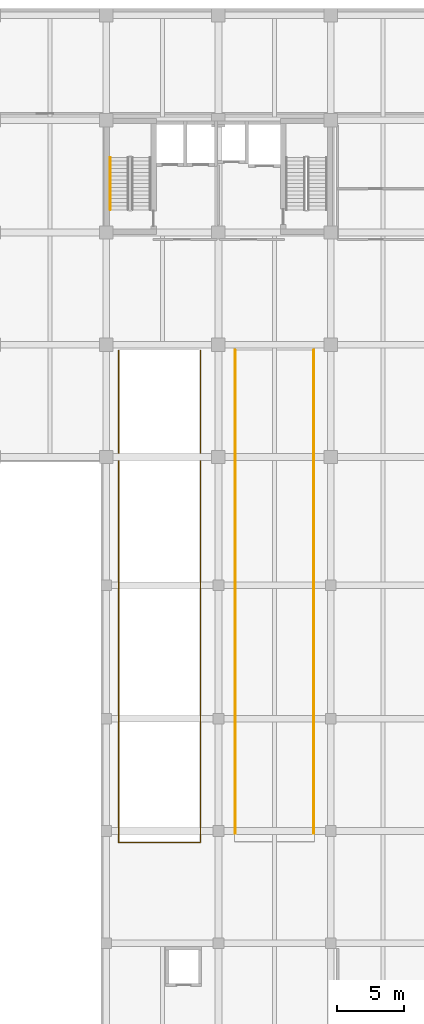
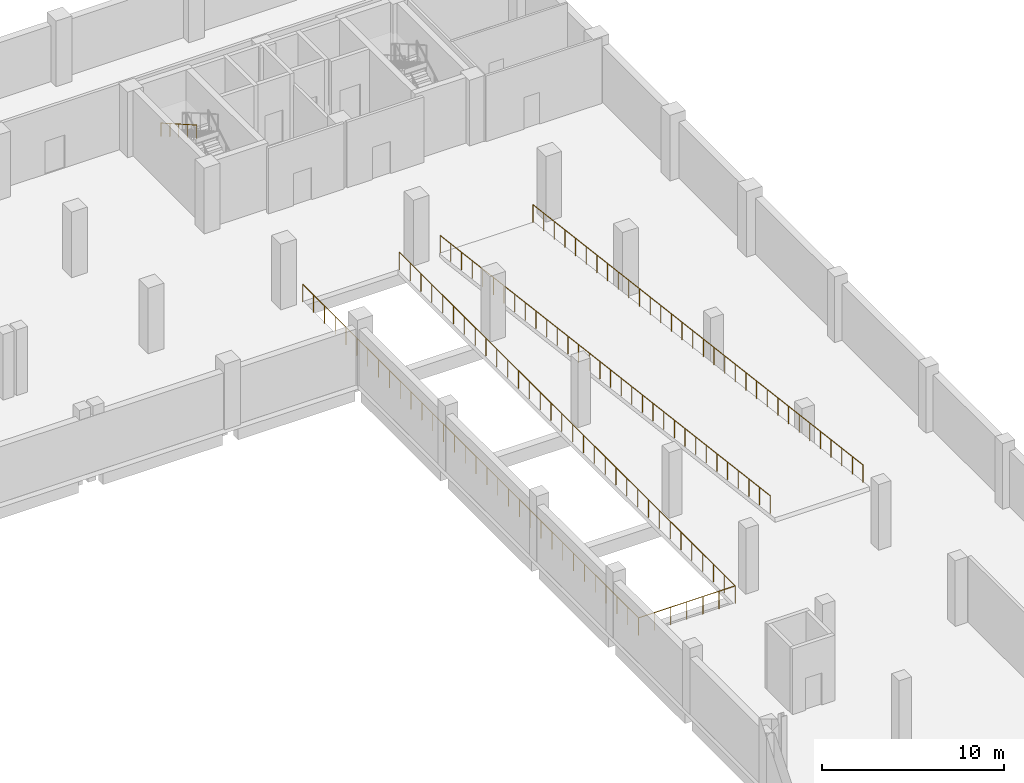
# One storey, part 16 of 17: 4 railings.
"""IFC4 building model written with IfcOpenShell, lengths in metres."""

import ifcopenshell
import ifcopenshell.guid

model = None  # the IFC model being written
_history = None  # IfcOwnerHistory: only IFC2X3 demands one
_inside = {}  # id of a spatial element -> (the spatial element, [elements in it])
_under = {}  # id of a project, library or spatial element -> (it, [spatial elements below it])
_declared = {}  # id of a project -> (the project, [libraries it declares])
_typed = {}  # id of a type object -> (the type object, [elements of that type])
_made_of = {}  # id of a material, layer set ... -> (it, [elements and type objects made of it])


def new_model(schema):
    """Start an empty IFC model of exactly this schema.

    Asked for "IFC4X3", IfcOpenShell would pick the latest addendum, in which some entities
    have other attributes; the version numbers below select the first issue.
    IFC2X3 requires an IfcOwnerHistory on every rooted entity: one is made here for all.
    """
    global model, _history
    if schema == "IFC4X3":
        model = ifcopenshell.file(schema_version=(4, 3, 0, 0))
    else:
        model = ifcopenshell.file(schema=schema)
    _inside.clear()
    _under.clear()
    _declared.clear()
    _typed.clear()
    _made_of.clear()
    _history = None
    if model.schema == "IFC2X3":
        org = make("IfcOrganization", Name="unknown")
        user = make(
            "IfcPersonAndOrganization",
            ThePerson=make("IfcPerson", FamilyName="unknown"),
            TheOrganization=org,
        )
        app = make(
            "IfcApplication",
            ApplicationDeveloper=org,
            Version="unknown",
            ApplicationFullName="unknown",
            ApplicationIdentifier="unknown",
        )
        _history = make(
            "IfcOwnerHistory",
            OwningUser=user,
            OwningApplication=app,
            ChangeAction="ADDED",
            CreationDate=0,
        )
    return model


def make(cls, **values):
    """One entity of the class cls with the attributes given. An attribute that is None is left unset."""
    return model.create_entity(
        cls, **{name: value for name, value in values.items() if value is not None}
    )


def rooted(cls, **values):
    """An entity with a GlobalId (a new one), such as an element, a storey or a relation."""
    return make(cls, GlobalId=ifcopenshell.guid.new(), OwnerHistory=_history, **values)


def si_unit(unit_type, name, prefix=None):
    """IfcSIUnit, for example si_unit("LENGTHUNIT", "METRE", prefix="MILLI")."""
    return make("IfcSIUnit", UnitType=unit_type, Prefix=prefix, Name=name)


def assignment(units):
    """IfcUnitAssignment: the units of a project."""
    return None if units is None else make("IfcUnitAssignment", Units=units)


def point(xyz):
    """IfcCartesianPoint."""
    return None if xyz is None else make("IfcCartesianPoint", Coordinates=xyz)


def direction(xyz):
    """IfcDirection."""
    return None if xyz is None else make("IfcDirection", DirectionRatios=xyz)


def frame(location, z_axis=None, x_axis=None):
    """IfcAxis2Placement3D, a coordinate frame: its origin and axes. An axis left out is left unset."""
    return make(
        "IfcAxis2Placement3D",
        Location=point(location),
        Axis=direction(z_axis),
        RefDirection=direction(x_axis),
    )


def frame_2d(location, x_axis=None):
    """IfcAxis2Placement2D, a coordinate frame in the plane: its origin and x axis."""
    return make(
        "IfcAxis2Placement2D", Location=point(location), RefDirection=direction(x_axis)
    )


def origin():
    """The frame at (0, 0, 0) with its axes left unset."""
    return frame((0.0, 0.0, 0.0))


def origin_2d():
    """The frame at (0, 0) in the plane with its x axis left unset."""
    return frame_2d((0.0, 0.0))


def place(relative_to, where):
    """IfcLocalPlacement: puts the frame where relative to a parent placement (None: the world)."""
    return make(
        "IfcLocalPlacement", PlacementRelTo=relative_to, RelativePlacement=where
    )


def context(
    kind, dimensions, precision=None, world=None, true_north=None, identifier=None
):
    """IfcGeometricRepresentationContext, for example the 3D "Model" context."""
    return make(
        "IfcGeometricRepresentationContext",
        ContextIdentifier=identifier,
        ContextType=kind,
        CoordinateSpaceDimension=dimensions,
        Precision=precision,
        WorldCoordinateSystem=world,
        TrueNorth=true_north,
    )


def subcontext(parent, identifier, kind, view, scale=None):
    """IfcGeometricRepresentationSubContext, for example "Body" below "Model"."""
    return make(
        "IfcGeometricRepresentationSubContext",
        ContextIdentifier=identifier,
        ContextType=kind,
        ParentContext=parent,
        TargetScale=scale,
        TargetView=view,
    )


def project(units=None, contexts=None):
    """IfcProject with its units and contexts."""
    return rooted(
        "IfcProject",
        Name="project",
        RepresentationContexts=contexts,
        UnitsInContext=assignment(units),
    )


def spatial(cls, under=None, at=None, **own):
    """A site, building, storey or space (cls), placed at a placement, below another one or the project."""
    s = rooted(cls, ObjectPlacement=at, **own)
    if under is not None:
        _under.setdefault(under.id(), (under, []))[1].append(s)
    return s


def profile(cls, at=None, kind="AREA", **sizes):
    """A parametric profile (cls). Its sizes go by their IFC names, for example OverallWidth=200.0."""
    return make(cls, ProfileType=kind, Position=at, **sizes)


def circle(**sizes):
    """IfcCircleProfileDef."""
    return profile("IfcCircleProfileDef", **sizes)


def extrude(swept, where, along, depth):
    """IfcExtrudedAreaSolid: the profile swept, set in the frame where, extruded along a direction by depth."""
    return make(
        "IfcExtrudedAreaSolid",
        SweptArea=swept,
        Position=where,
        ExtrudedDirection=direction(along),
        Depth=depth,
    )


def shape(context_of_items, identifier, shape_type, items):
    """IfcShapeRepresentation: the items that make up one representation, for example the "Body"."""
    return make(
        "IfcShapeRepresentation",
        ContextOfItems=context_of_items,
        RepresentationIdentifier=identifier,
        RepresentationType=shape_type,
        Items=items,
    )


def material(Name=None, Category=None):
    """IfcMaterial."""
    return make("IfcMaterial", Name=Name, Category=Category)


def made_of(thing, what):
    """Note that an element or type object is made of a material, layer set ...; save() writes the relation."""
    if what is not None:
        _made_of.setdefault(what.id(), (what, []))[1].append(thing)
    return thing


def type_object(cls, material=None, **own):
    """A type object (cls), such as IfcWallType, which elements share."""
    return made_of(rooted(cls, **own), material)


def element(
    cls,
    number,
    at=None,
    inside=None,
    cuts=None,
    type_object=None,
    material=None,
    context=None,
    identifier="Body",
    shape_type=None,
    held_by="IfcProductDefinitionShape",
    body=None,
    shapes=None,
    **own,
):
    """One element of the class cls, such as IfcWall. Its Tag is "e" and its number.

    at: its placement. inside: the storey or other place that contains it. cuts: it is an
    opening in that element (IfcRelVoidsElement). A single representation is given by context,
    identifier, shape_type and body (its items); several are given by shapes. held_by: the class
    of the entity that holds the representations. save() writes the other relations.
    """
    e = rooted(cls, Tag="e%d" % number, ObjectPlacement=at, **own)
    if body is not None:
        shapes = [shape(context, identifier, shape_type, body)]
    if shapes is not None:
        e.Representation = make(held_by, Representations=shapes)
    if inside is not None:
        _inside.setdefault(inside.id(), (inside, []))[1].append(e)
    if cuts is not None:
        rooted(
            "IfcRelVoidsElement", RelatingBuildingElement=cuts, RelatedOpeningElement=e
        )
    if type_object is not None:
        _typed.setdefault(type_object.id(), (type_object, []))[1].append(e)
    return made_of(e, material)


def aggregate(whole, parts):
    """IfcRelAggregates: a whole, such as a stair, and the parts it consists of."""
    return rooted("IfcRelAggregates", RelatingObject=whole, RelatedObjects=parts)


def save(model, path):
    """Write the relations noted so far, then the file.

    IfcRelAggregates (storeys below a building ...), IfcRelContainedInSpatialStructure (elements
    in a storey), IfcRelDefinesByType, IfcRelAssociatesMaterial and IfcRelDeclares: one each for
    every whole, place, type object, material and project.
    """
    for whole, parts in _under.values():
        aggregate(whole, parts)
    for where, things in _inside.values():
        rooted(
            "IfcRelContainedInSpatialStructure",
            RelatedElements=things,
            RelatingStructure=where,
        )
    for kind, things in _typed.values():
        rooted("IfcRelDefinesByType", RelatedObjects=things, RelatingType=kind)
    for what, things in _made_of.values():
        rooted("IfcRelAssociatesMaterial", RelatedObjects=things, RelatingMaterial=what)
    for by, libraries in _declared.values():
        rooted("IfcRelDeclares", RelatingContext=by, RelatedDefinitions=libraries)
    model.write(path)


model = new_model("IFC4")

# Units and contexts
model_context = context("Model", 3, precision=1e-05, world=origin(), true_north=direction((0.0, 1.0)))
body_context = subcontext(model_context, "Body", "Model", "MODEL_VIEW")
ifc_project = project(units=[si_unit("LENGTHUNIT", "METRE"), si_unit("AREAUNIT", "SQUARE_METRE"), si_unit("VOLUMEUNIT", "CUBIC_METRE"), si_unit("PLANEANGLEUNIT", "RADIAN"), si_unit("MASSUNIT", "GRAM", prefix="KILO")], contexts=[model_context])

# Site, building, storey
site_placement = place(None, origin())
site = spatial("IfcSite", under=ifc_project, at=site_placement, CompositionType="ELEMENT")
building_placement = place(site_placement, origin())
building = spatial("IfcBuilding", under=site, at=building_placement, Name="Brinegate Botanical Conservatory", CompositionType="ELEMENT")
storey_placement = place(building_placement, frame((0.0, 0.0, -4.800048828125)))
storey = spatial("IfcBuildingStorey", under=building, at=storey_placement, Name="B1", CompositionType="ELEMENT", Elevation=-4.800048828125)

# Railings
ifc_material_1 = material(Name="Structural steel Q355B / S355 painted tubular guardrail", Category="steel")
railing_type_1 = type_object("IfcRailingType", Name="Rail_ST-GRD", PredefinedType="GUARDRAIL", material=ifc_material_1)
railing_1_placement = place(storey_placement, frame((148.4599609375, 50.199951171875, 4.72509765625)))
element("IfcRailing", 1, at=railing_1_placement, inside=storey, type_object=railing_type_1, Name="Vehicle ramp VR-01 west guardrail", PredefinedType="GUARDRAIL", context=body_context, shape_type="SweptSolid", body=[
    extrude(circle(Radius=0.02392578125, at=origin_2d()), frame((0.0, 0.0, 1.17578125), z_axis=(0.0, 0.992277361925, -0.124038852829), x_axis=(-1.0, 0.0, 0.0)), (0.0, 0.0, 1.0), 36.481689453125),
    extrude(circle(Radius=0.02099609375, at=origin_2d()), origin(), (0.0, 0.0, 1.0), 1.15185546875),
    extrude(circle(Radius=0.02099609375, at=origin_2d()), frame((0.0, 1.167724609375, -0.14599609375)), (0.0, 0.0, 1.0), 1.15185546875),
    extrude(circle(Radius=0.02099609375, at=origin_2d()), frame((0.0, 2.33544921875, -0.2919921875)), (0.0, 0.0, 1.0), 1.15185546875),
    extrude(circle(Radius=0.02099609375, at=origin_2d()), frame((0.0, 3.503173828125, -0.43798828125)), (0.0, 0.0, 1.0), 1.15185546875),
    extrude(circle(Radius=0.02099609375, at=origin_2d()), frame((0.0, 4.6708984375, -0.583984375)), (0.0, 0.0, 1.0), 1.15185546875),
    extrude(circle(Radius=0.02099609375, at=origin_2d()), frame((0.0, 5.838623046875, -0.72998046875)), (0.0, 0.0, 1.0), 1.15185546875),
    extrude(circle(Radius=0.02099609375, at=origin_2d()), frame((0.0, 7.00634765625, -0.875732421875)), (0.0, 0.0, 1.0), 1.15185546875),
    extrude(circle(Radius=0.02099609375, at=origin_2d()), frame((0.0, 8.174072265625, -1.021728515625)), (0.0, 0.0, 1.0), 1.15185546875),
    extrude(circle(Radius=0.02099609375, at=origin_2d()), frame((0.0, 9.342041015625, -1.167724609375)), (0.0, 0.0, 1.0), 1.15185546875),
    extrude(circle(Radius=0.02099609375, at=origin_2d()), frame((0.0, 10.509765625, -1.313720703125)), (0.0, 0.0, 1.0), 1.15185546875),
    extrude(circle(Radius=0.02099609375, at=origin_2d()), frame((0.0, 11.677490234375, -1.459716796875)), (0.0, 0.0, 1.0), 1.15185546875),
    extrude(circle(Radius=0.02099609375, at=origin_2d()), frame((0.0, 12.84521484375, -1.605712890625)), (0.0, 0.0, 1.0), 1.15185546875),
    extrude(circle(Radius=0.02099609375, at=origin_2d()), frame((0.0, 14.012939453125, -1.751708984375)), (0.0, 0.0, 1.0), 1.15185546875),
    extrude(circle(Radius=0.02099609375, at=origin_2d()), frame((0.0, 15.1806640625, -1.897705078125)), (0.0, 0.0, 1.0), 1.15185546875),
    extrude(circle(Radius=0.02099609375, at=origin_2d()), frame((0.0, 16.348388671875, -2.043701171875)), (0.0, 0.0, 1.0), 1.15185546875),
    extrude(circle(Radius=0.02099609375, at=origin_2d()), frame((0.0, 17.51611328125, -2.189697265625)), (0.0, 0.0, 1.0), 1.15185546875),
    extrude(circle(Radius=0.02099609375, at=origin_2d()), frame((0.0, 18.683837890625, -2.33544921875)), (0.0, 0.0, 1.0), 1.15185546875),
    extrude(circle(Radius=0.02099609375, at=origin_2d()), frame((0.0, 19.8515625, -2.4814453125)), (0.0, 0.0, 1.0), 1.15185546875),
    extrude(circle(Radius=0.02099609375, at=origin_2d()), frame((0.0, 21.019287109375, -2.62744140625)), (0.0, 0.0, 1.0), 1.15185546875),
    extrude(circle(Radius=0.02099609375, at=origin_2d()), frame((0.0, 22.18701171875, -2.7734375)), (0.0, 0.0, 1.0), 1.15185546875),
    extrude(circle(Radius=0.02099609375, at=origin_2d()), frame((0.0, 23.354736328125, -2.91943359375)), (0.0, 0.0, 1.0), 1.15185546875),
    extrude(circle(Radius=0.02099609375, at=origin_2d()), frame((0.0, 24.5224609375, -3.0654296875)), (0.0, 0.0, 1.0), 1.15185546875),
    extrude(circle(Radius=0.02099609375, at=origin_2d()), frame((0.0, 25.690185546875, -3.21142578125)), (0.0, 0.0, 1.0), 1.15185546875),
    extrude(circle(Radius=0.02099609375, at=origin_2d()), frame((0.0, 26.85791015625, -3.357421875)), (0.0, 0.0, 1.0), 1.15185546875),
    extrude(circle(Radius=0.02099609375, at=origin_2d()), frame((0.0, 28.02587890625, -3.50341796875)), (0.0, 0.0, 1.0), 1.15185546875),
    extrude(circle(Radius=0.02099609375, at=origin_2d()), frame((0.0, 29.193603515625, -3.6494140625)), (0.0, 0.0, 1.0), 1.15185546875),
    extrude(circle(Radius=0.02099609375, at=origin_2d()), frame((0.0, 30.361328125, -3.795166015625)), (0.0, 0.0, 1.0), 1.15185546875),
    extrude(circle(Radius=0.02099609375, at=origin_2d()), frame((0.0, 31.529052734375, -3.941162109375)), (0.0, 0.0, 1.0), 1.15185546875),
    extrude(circle(Radius=0.02099609375, at=origin_2d()), frame((0.0, 32.69677734375, -4.087158203125)), (0.0, 0.0, 1.0), 1.15185546875),
    extrude(circle(Radius=0.02099609375, at=origin_2d()), frame((0.0, 33.864501953125, -4.233154296875)), (0.0, 0.0, 1.0), 1.15185546875),
    extrude(circle(Radius=0.02099609375, at=origin_2d()), frame((0.0, 35.0322265625, -4.379150390625)), (0.0, 0.0, 1.0), 1.15185546875),
    extrude(circle(Radius=0.02099609375, at=origin_2d()), frame((0.0, 36.199951171875, -4.525146484375)), (0.0, 0.0, 1.0), 1.15185546875),
])
railing_2_placement = place(storey_placement, frame((154.340087890625, 50.199951171875, 4.72509765625)))
element("IfcRailing", 2, at=railing_2_placement, inside=storey, type_object=railing_type_1, Name="Vehicle ramp VR-01 east guardrail", PredefinedType="GUARDRAIL", context=body_context, shape_type="SweptSolid", body=[
    extrude(circle(Radius=0.02392578125, at=origin_2d()), frame((0.0, 0.0, 1.17578125), z_axis=(0.0, 0.992277361925, -0.124038852829), x_axis=(-1.0, 0.0, 0.0)), (0.0, 0.0, 1.0), 36.481689453125),
    extrude(circle(Radius=0.02099609375, at=origin_2d()), origin(), (0.0, 0.0, 1.0), 1.15185546875),
    extrude(circle(Radius=0.02099609375, at=origin_2d()), frame((0.0, 1.167724609375, -0.14599609375)), (0.0, 0.0, 1.0), 1.15185546875),
    extrude(circle(Radius=0.02099609375, at=origin_2d()), frame((0.0, 2.33544921875, -0.2919921875)), (0.0, 0.0, 1.0), 1.15185546875),
    extrude(circle(Radius=0.02099609375, at=origin_2d()), frame((0.0, 3.503173828125, -0.43798828125)), (0.0, 0.0, 1.0), 1.15185546875),
    extrude(circle(Radius=0.02099609375, at=origin_2d()), frame((0.0, 4.6708984375, -0.583984375)), (0.0, 0.0, 1.0), 1.15185546875),
    extrude(circle(Radius=0.02099609375, at=origin_2d()), frame((0.0, 5.838623046875, -0.72998046875)), (0.0, 0.0, 1.0), 1.15185546875),
    extrude(circle(Radius=0.02099609375, at=origin_2d()), frame((0.0, 7.00634765625, -0.875732421875)), (0.0, 0.0, 1.0), 1.15185546875),
    extrude(circle(Radius=0.02099609375, at=origin_2d()), frame((0.0, 8.174072265625, -1.021728515625)), (0.0, 0.0, 1.0), 1.15185546875),
    extrude(circle(Radius=0.02099609375, at=origin_2d()), frame((0.0, 9.342041015625, -1.167724609375)), (0.0, 0.0, 1.0), 1.15185546875),
    extrude(circle(Radius=0.02099609375, at=origin_2d()), frame((0.0, 10.509765625, -1.313720703125)), (0.0, 0.0, 1.0), 1.15185546875),
    extrude(circle(Radius=0.02099609375, at=origin_2d()), frame((0.0, 11.677490234375, -1.459716796875)), (0.0, 0.0, 1.0), 1.15185546875),
    extrude(circle(Radius=0.02099609375, at=origin_2d()), frame((0.0, 12.84521484375, -1.605712890625)), (0.0, 0.0, 1.0), 1.15185546875),
    extrude(circle(Radius=0.02099609375, at=origin_2d()), frame((0.0, 14.012939453125, -1.751708984375)), (0.0, 0.0, 1.0), 1.15185546875),
    extrude(circle(Radius=0.02099609375, at=origin_2d()), frame((0.0, 15.1806640625, -1.897705078125)), (0.0, 0.0, 1.0), 1.15185546875),
    extrude(circle(Radius=0.02099609375, at=origin_2d()), frame((0.0, 16.348388671875, -2.043701171875)), (0.0, 0.0, 1.0), 1.15185546875),
    extrude(circle(Radius=0.02099609375, at=origin_2d()), frame((0.0, 17.51611328125, -2.189697265625)), (0.0, 0.0, 1.0), 1.15185546875),
    extrude(circle(Radius=0.02099609375, at=origin_2d()), frame((0.0, 18.683837890625, -2.33544921875)), (0.0, 0.0, 1.0), 1.15185546875),
    extrude(circle(Radius=0.02099609375, at=origin_2d()), frame((0.0, 19.8515625, -2.4814453125)), (0.0, 0.0, 1.0), 1.15185546875),
    extrude(circle(Radius=0.02099609375, at=origin_2d()), frame((0.0, 21.019287109375, -2.62744140625)), (0.0, 0.0, 1.0), 1.15185546875),
    extrude(circle(Radius=0.02099609375, at=origin_2d()), frame((0.0, 22.18701171875, -2.7734375)), (0.0, 0.0, 1.0), 1.15185546875),
    extrude(circle(Radius=0.02099609375, at=origin_2d()), frame((0.0, 23.354736328125, -2.91943359375)), (0.0, 0.0, 1.0), 1.15185546875),
    extrude(circle(Radius=0.02099609375, at=origin_2d()), frame((0.0, 24.5224609375, -3.0654296875)), (0.0, 0.0, 1.0), 1.15185546875),
    extrude(circle(Radius=0.02099609375, at=origin_2d()), frame((0.0, 25.690185546875, -3.21142578125)), (0.0, 0.0, 1.0), 1.15185546875),
    extrude(circle(Radius=0.02099609375, at=origin_2d()), frame((0.0, 26.85791015625, -3.357421875)), (0.0, 0.0, 1.0), 1.15185546875),
    extrude(circle(Radius=0.02099609375, at=origin_2d()), frame((0.0, 28.02587890625, -3.50341796875)), (0.0, 0.0, 1.0), 1.15185546875),
    extrude(circle(Radius=0.02099609375, at=origin_2d()), frame((0.0, 29.193603515625, -3.6494140625)), (0.0, 0.0, 1.0), 1.15185546875),
    extrude(circle(Radius=0.02099609375, at=origin_2d()), frame((0.0, 30.361328125, -3.795166015625)), (0.0, 0.0, 1.0), 1.15185546875),
    extrude(circle(Radius=0.02099609375, at=origin_2d()), frame((0.0, 31.529052734375, -3.941162109375)), (0.0, 0.0, 1.0), 1.15185546875),
    extrude(circle(Radius=0.02099609375, at=origin_2d()), frame((0.0, 32.69677734375, -4.087158203125)), (0.0, 0.0, 1.0), 1.15185546875),
    extrude(circle(Radius=0.02099609375, at=origin_2d()), frame((0.0, 33.864501953125, -4.233154296875)), (0.0, 0.0, 1.0), 1.15185546875),
    extrude(circle(Radius=0.02099609375, at=origin_2d()), frame((0.0, 35.0322265625, -4.379150390625)), (0.0, 0.0, 1.0), 1.15185546875),
    extrude(circle(Radius=0.02099609375, at=origin_2d()), frame((0.0, 36.199951171875, -4.525146484375)), (0.0, 0.0, 1.0), 1.15185546875),
])
railing_3_placement = place(storey_placement, frame((139.739990234375, 86.3798828125, 0.0)))
element("IfcRailing", 3, at=railing_3_placement, inside=storey, type_object=railing_type_1, Name="Vehicle ramp VR-2 floor opening guard B1", PredefinedType="GUARDRAIL", context=body_context, shape_type="SweptSolid", body=[
    extrude(circle(Radius=0.02392578125, at=origin_2d()), frame((0.0, 0.0, 1.17578125), z_axis=(0.0, -1.0, 0.0), x_axis=(1.0, 0.0, 0.0)), (0.0, 0.0, 1.0), 36.83984375),
    extrude(circle(Radius=0.02392578125, at=origin_2d()), frame((0.0, -36.83984375, 1.17578125), z_axis=(1.0, 0.0, 0.0), x_axis=(0.0, 1.0, 0.0)), (0.0, 0.0, 1.0), 6.1201171875),
    extrude(circle(Radius=0.02392578125, at=origin_2d()), frame((6.1201171875, -36.83984375, 1.17578125), z_axis=(0.0, 1.0, 0.0), x_axis=(-1.0, 0.0, 0.0)), (0.0, 0.0, 1.0), 36.83984375),
    extrude(circle(Radius=0.02099609375, at=origin_2d()), origin(), (0.0, 0.0, 1.0), 1.15185546875),
    extrude(circle(Radius=0.02099609375, at=origin_2d()), frame((0.0, -1.1884765625, 0.0)), (0.0, 0.0, 1.0), 1.15185546875),
    extrude(circle(Radius=0.02099609375, at=origin_2d()), frame((0.0, -2.376708984375, 0.0)), (0.0, 0.0, 1.0), 1.15185546875),
    extrude(circle(Radius=0.02099609375, at=origin_2d()), frame((0.0, -3.565185546875, 0.0)), (0.0, 0.0, 1.0), 1.15185546875),
    extrude(circle(Radius=0.02099609375, at=origin_2d()), frame((0.0, -4.75341796875, 0.0)), (0.0, 0.0, 1.0), 1.15185546875),
    extrude(circle(Radius=0.02099609375, at=origin_2d()), frame((0.0, -5.94189453125, 0.0)), (0.0, 0.0, 1.0), 1.15185546875),
    extrude(circle(Radius=0.02099609375, at=origin_2d()), frame((0.0, -7.13037109375, 0.0)), (0.0, 0.0, 1.0), 1.15185546875),
    extrude(circle(Radius=0.02099609375, at=origin_2d()), frame((0.0, -8.318603515625, 0.0)), (0.0, 0.0, 1.0), 1.15185546875),
    extrude(circle(Radius=0.02099609375, at=origin_2d()), frame((0.0, -9.507080078125, 0.0)), (0.0, 0.0, 1.0), 1.15185546875),
    extrude(circle(Radius=0.02099609375, at=origin_2d()), frame((0.0, -10.695556640625, 0.0)), (0.0, 0.0, 1.0), 1.15185546875),
    extrude(circle(Radius=0.02099609375, at=origin_2d()), frame((0.0, -11.8837890625, 0.0)), (0.0, 0.0, 1.0), 1.15185546875),
    extrude(circle(Radius=0.02099609375, at=origin_2d()), frame((0.0, -13.072265625, 0.0)), (0.0, 0.0, 1.0), 1.15185546875),
    extrude(circle(Radius=0.02099609375, at=origin_2d()), frame((0.0, -14.260498046875, 0.0)), (0.0, 0.0, 1.0), 1.15185546875),
    extrude(circle(Radius=0.02099609375, at=origin_2d()), frame((0.0, -15.448974609375, 0.0)), (0.0, 0.0, 1.0), 1.15185546875),
    extrude(circle(Radius=0.02099609375, at=origin_2d()), frame((0.0, -16.637451171875, 0.0)), (0.0, 0.0, 1.0), 1.15185546875),
    extrude(circle(Radius=0.02099609375, at=origin_2d()), frame((0.0, -17.82568359375, 0.0)), (0.0, 0.0, 1.0), 1.15185546875),
    extrude(circle(Radius=0.02099609375, at=origin_2d()), frame((0.0, -19.01416015625, 0.0)), (0.0, 0.0, 1.0), 1.15185546875),
    extrude(circle(Radius=0.02099609375, at=origin_2d()), frame((0.0, -20.202392578125, 0.0)), (0.0, 0.0, 1.0), 1.15185546875),
    extrude(circle(Radius=0.02099609375, at=origin_2d()), frame((0.0, -21.390869140625, 0.0)), (0.0, 0.0, 1.0), 1.15185546875),
    extrude(circle(Radius=0.02099609375, at=origin_2d()), frame((0.0, -22.579345703125, 0.0)), (0.0, 0.0, 1.0), 1.15185546875),
    extrude(circle(Radius=0.02099609375, at=origin_2d()), frame((0.0, -23.767578125, 0.0)), (0.0, 0.0, 1.0), 1.15185546875),
    extrude(circle(Radius=0.02099609375, at=origin_2d()), frame((0.0, -24.9560546875, 0.0)), (0.0, 0.0, 1.0), 1.15185546875),
    extrude(circle(Radius=0.02099609375, at=origin_2d()), frame((0.0, -26.144287109375, 0.0)), (0.0, 0.0, 1.0), 1.15185546875),
    extrude(circle(Radius=0.02099609375, at=origin_2d()), frame((0.0, -27.332763671875, 0.0)), (0.0, 0.0, 1.0), 1.15185546875),
    extrude(circle(Radius=0.02099609375, at=origin_2d()), frame((0.0, -28.521240234375, 0.0)), (0.0, 0.0, 1.0), 1.15185546875),
    extrude(circle(Radius=0.02099609375, at=origin_2d()), frame((0.0, -29.70947265625, 0.0)), (0.0, 0.0, 1.0), 1.15185546875),
    extrude(circle(Radius=0.02099609375, at=origin_2d()), frame((0.0, -30.89794921875, 0.0)), (0.0, 0.0, 1.0), 1.15185546875),
    extrude(circle(Radius=0.02099609375, at=origin_2d()), frame((0.0, -32.08642578125, 0.0)), (0.0, 0.0, 1.0), 1.15185546875),
    extrude(circle(Radius=0.02099609375, at=origin_2d()), frame((0.0, -33.274658203125, 0.0)), (0.0, 0.0, 1.0), 1.15185546875),
    extrude(circle(Radius=0.02099609375, at=origin_2d()), frame((0.0, -34.463134765625, 0.0)), (0.0, 0.0, 1.0), 1.15185546875),
    extrude(circle(Radius=0.02099609375, at=origin_2d()), frame((0.0, -35.6513671875, 0.0)), (0.0, 0.0, 1.0), 1.15185546875),
    extrude(circle(Radius=0.02099609375, at=origin_2d()), frame((0.0, -36.83984375, 0.0)), (0.0, 0.0, 1.0), 1.15185546875),
    extrude(circle(Radius=0.02099609375, at=origin_2d()), frame((1.02001953125, -36.83984375, 0.0)), (0.0, 0.0, 1.0), 1.15185546875),
    extrude(circle(Radius=0.02099609375, at=origin_2d()), frame((2.0400390625, -36.83984375, 0.0)), (0.0, 0.0, 1.0), 1.15185546875),
    extrude(circle(Radius=0.02099609375, at=origin_2d()), frame((3.06005859375, -36.83984375, 0.0)), (0.0, 0.0, 1.0), 1.15185546875),
    extrude(circle(Radius=0.02099609375, at=origin_2d()), frame((4.080078125, -36.83984375, 0.0)), (0.0, 0.0, 1.0), 1.15185546875),
    extrude(circle(Radius=0.02099609375, at=origin_2d()), frame((5.10009765625, -36.83984375, 0.0)), (0.0, 0.0, 1.0), 1.15185546875),
    extrude(circle(Radius=0.02099609375, at=origin_2d()), frame((6.1201171875, -36.83984375, 0.0)), (0.0, 0.0, 1.0), 1.15185546875),
    extrude(circle(Radius=0.02099609375, at=origin_2d()), frame((6.1201171875, -35.6513671875, 0.0)), (0.0, 0.0, 1.0), 1.15185546875),
    extrude(circle(Radius=0.02099609375, at=origin_2d()), frame((6.1201171875, -34.463134765625, 0.0)), (0.0, 0.0, 1.0), 1.15185546875),
    extrude(circle(Radius=0.02099609375, at=origin_2d()), frame((6.1201171875, -33.274658203125, 0.0)), (0.0, 0.0, 1.0), 1.15185546875),
    extrude(circle(Radius=0.02099609375, at=origin_2d()), frame((6.1201171875, -32.08642578125, 0.0)), (0.0, 0.0, 1.0), 1.15185546875),
    extrude(circle(Radius=0.02099609375, at=origin_2d()), frame((6.1201171875, -30.89794921875, 0.0)), (0.0, 0.0, 1.0), 1.15185546875),
    extrude(circle(Radius=0.02099609375, at=origin_2d()), frame((6.1201171875, -29.70947265625, 0.0)), (0.0, 0.0, 1.0), 1.15185546875),
    extrude(circle(Radius=0.02099609375, at=origin_2d()), frame((6.1201171875, -28.521240234375, 0.0)), (0.0, 0.0, 1.0), 1.15185546875),
    extrude(circle(Radius=0.02099609375, at=origin_2d()), frame((6.1201171875, -27.332763671875, 0.0)), (0.0, 0.0, 1.0), 1.15185546875),
    extrude(circle(Radius=0.02099609375, at=origin_2d()), frame((6.1201171875, -26.144287109375, 0.0)), (0.0, 0.0, 1.0), 1.15185546875),
    extrude(circle(Radius=0.02099609375, at=origin_2d()), frame((6.1201171875, -24.9560546875, 0.0)), (0.0, 0.0, 1.0), 1.15185546875),
    extrude(circle(Radius=0.02099609375, at=origin_2d()), frame((6.1201171875, -23.767578125, 0.0)), (0.0, 0.0, 1.0), 1.15185546875),
    extrude(circle(Radius=0.02099609375, at=origin_2d()), frame((6.1201171875, -22.579345703125, 0.0)), (0.0, 0.0, 1.0), 1.15185546875),
    extrude(circle(Radius=0.02099609375, at=origin_2d()), frame((6.1201171875, -21.390869140625, 0.0)), (0.0, 0.0, 1.0), 1.15185546875),
    extrude(circle(Radius=0.02099609375, at=origin_2d()), frame((6.1201171875, -20.202392578125, 0.0)), (0.0, 0.0, 1.0), 1.15185546875),
    extrude(circle(Radius=0.02099609375, at=origin_2d()), frame((6.1201171875, -19.01416015625, 0.0)), (0.0, 0.0, 1.0), 1.15185546875),
    extrude(circle(Radius=0.02099609375, at=origin_2d()), frame((6.1201171875, -17.82568359375, 0.0)), (0.0, 0.0, 1.0), 1.15185546875),
    extrude(circle(Radius=0.02099609375, at=origin_2d()), frame((6.1201171875, -16.637451171875, 0.0)), (0.0, 0.0, 1.0), 1.15185546875),
    extrude(circle(Radius=0.02099609375, at=origin_2d()), frame((6.1201171875, -15.448974609375, 0.0)), (0.0, 0.0, 1.0), 1.15185546875),
    extrude(circle(Radius=0.02099609375, at=origin_2d()), frame((6.1201171875, -14.260498046875, 0.0)), (0.0, 0.0, 1.0), 1.15185546875),
    extrude(circle(Radius=0.02099609375, at=origin_2d()), frame((6.1201171875, -13.072265625, 0.0)), (0.0, 0.0, 1.0), 1.15185546875),
    extrude(circle(Radius=0.02099609375, at=origin_2d()), frame((6.1201171875, -11.8837890625, 0.0)), (0.0, 0.0, 1.0), 1.15185546875),
    extrude(circle(Radius=0.02099609375, at=origin_2d()), frame((6.1201171875, -10.695556640625, 0.0)), (0.0, 0.0, 1.0), 1.15185546875),
    extrude(circle(Radius=0.02099609375, at=origin_2d()), frame((6.1201171875, -9.507080078125, 0.0)), (0.0, 0.0, 1.0), 1.15185546875),
    extrude(circle(Radius=0.02099609375, at=origin_2d()), frame((6.1201171875, -8.318603515625, 0.0)), (0.0, 0.0, 1.0), 1.15185546875),
    extrude(circle(Radius=0.02099609375, at=origin_2d()), frame((6.1201171875, -7.13037109375, 0.0)), (0.0, 0.0, 1.0), 1.15185546875),
    extrude(circle(Radius=0.02099609375, at=origin_2d()), frame((6.1201171875, -5.94189453125, 0.0)), (0.0, 0.0, 1.0), 1.15185546875),
    extrude(circle(Radius=0.02099609375, at=origin_2d()), frame((6.1201171875, -4.75341796875, 0.0)), (0.0, 0.0, 1.0), 1.15185546875),
    extrude(circle(Radius=0.02099609375, at=origin_2d()), frame((6.1201171875, -3.565185546875, 0.0)), (0.0, 0.0, 1.0), 1.15185546875),
    extrude(circle(Radius=0.02099609375, at=origin_2d()), frame((6.1201171875, -2.376708984375, 0.0)), (0.0, 0.0, 1.0), 1.15185546875),
    extrude(circle(Radius=0.02099609375, at=origin_2d()), frame((6.1201171875, -1.1884765625, 0.0)), (0.0, 0.0, 1.0), 1.15185546875),
    extrude(circle(Radius=0.02099609375, at=origin_2d()), frame((6.1201171875, 0.0, 0.0)), (0.0, 0.0, 1.0), 1.15185546875),
])
ifc_material_2 = material(Name="Brushed stainless steel S355 handrail", Category="steel")
railing_type_2 = type_object("IfcRailingType", Name="Rail_ST-HND", PredefinedType="HANDRAIL", material=ifc_material_2)
railing_4_placement = place(storey_placement, frame((139.10009765625, 100.820068359375, 2.56005859375)))
element("IfcRailing", 4, at=railing_4_placement, inside=storey, type_object=railing_type_2, Name="B1 ST1 stair handrail 2", PredefinedType="HANDRAIL", context=body_context, shape_type="SweptSolid", body=[
    extrude(circle(Radius=0.02392578125, at=origin_2d()), frame((0.0, 0.0, 0.8759765625), z_axis=(0.0, -0.86825312469, 0.496121468458), x_axis=(1.0, 0.0, 0.0)), (0.0, 0.0, 1.0), 4.514892578125),
    extrude(circle(Radius=0.02099609375, at=origin_2d()), origin(), (0.0, 0.0, 1.0), 0.851806640625),
    extrude(circle(Radius=0.02099609375, at=origin_2d()), frame((0.0, -0.97998046875, 0.56005859375)), (0.0, 0.0, 1.0), 0.851806640625),
    extrude(circle(Radius=0.02099609375, at=origin_2d()), frame((0.0, -1.9599609375, 1.1201171875)), (0.0, 0.0, 1.0), 0.851806640625),
    extrude(circle(Radius=0.02099609375, at=origin_2d()), frame((0.0, -2.940185546875, 1.679931640625)), (0.0, 0.0, 1.0), 0.851806640625),
    extrude(circle(Radius=0.02099609375, at=origin_2d()), frame((0.0, -3.920166015625, 2.239990234375)), (0.0, 0.0, 1.0), 0.851806640625),
])

save(model, "model.ifc")
